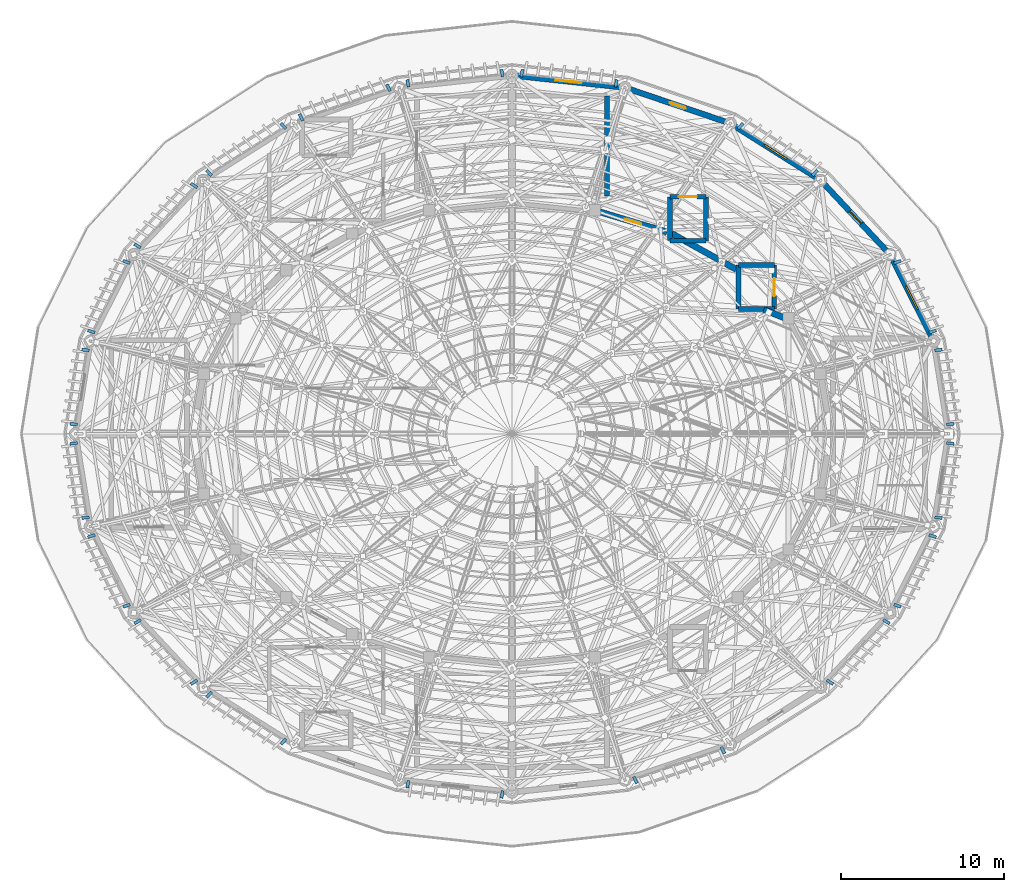
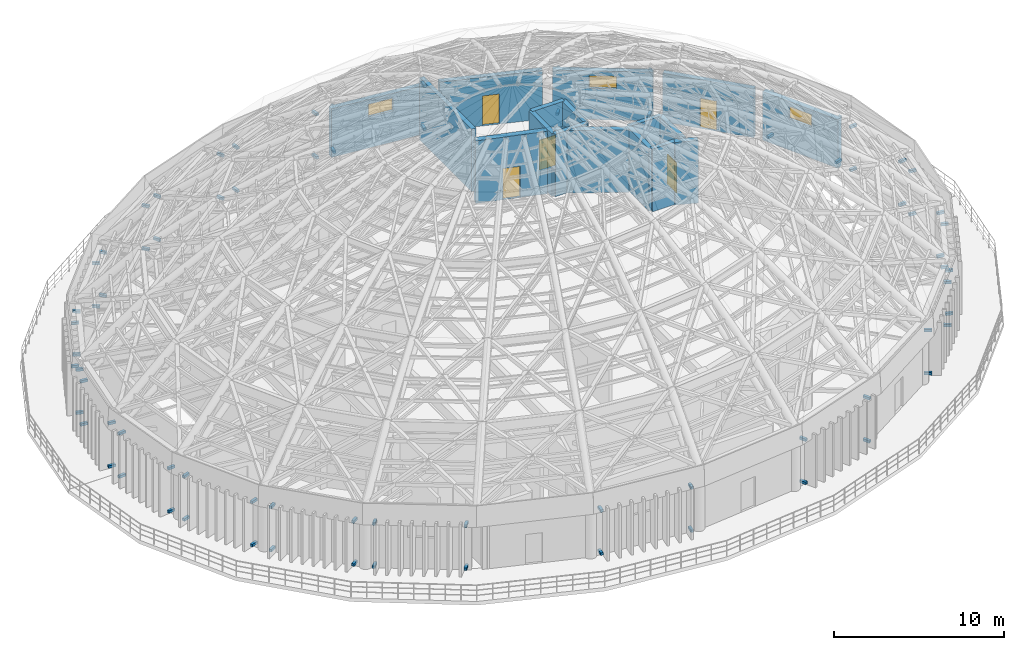
# One storey, part 41 of 50: 76 discrete accessories, 17 walls, 5 doors, 3 windows, 8 openings.
"""IFC4 building model written with IfcOpenShell, lengths in metres."""

from ifc_helpers import new_model, si_unit, direction, frame, frame_2d, origin, origin_2d, place, context, subcontext, project, spatial, rectangle, extrude, material, layer, layer_set, type_object, element, fill, save


model = new_model("IFC4")

# Units and contexts
model_context = context("Model", 3, precision=1e-05, world=origin(), true_north=direction((0.0, 1.0)))
body_context = subcontext(model_context, "Body", "Model", "MODEL_VIEW")
ifc_project = project(units=[si_unit("LENGTHUNIT", "METRE"), si_unit("AREAUNIT", "SQUARE_METRE"), si_unit("VOLUMEUNIT", "CUBIC_METRE"), si_unit("PLANEANGLEUNIT", "RADIAN"), si_unit("MASSUNIT", "GRAM", prefix="KILO")], contexts=[model_context])

# Site, building, storey
site_placement = place(None, origin())
site = spatial("IfcSite", under=ifc_project, at=site_placement, CompositionType="ELEMENT")
building_placement = place(site_placement, origin())
building = spatial("IfcBuilding", under=site, at=building_placement, Name="Cinderbank Siding Concert Hall", CompositionType="ELEMENT")
storey_placement = place(building_placement, frame((0.0, 0.0, 23.699951171875)))
storey = spatial("IfcBuildingStorey", under=building, at=storey_placement, Name="L06", CompositionType="ELEMENT", Elevation=23.699951171875)

# Walls
ifc_material_1 = material(Name="Reinforced concrete AS 3600 N50 (50 MPa)", Category="concrete")
ifc_layer_1 = layer(ifc_material_1, 0.3798828125)
ifc_layer_set_1 = layer_set([ifc_layer_1], Name="Reinforced concrete AS 3600 N50 (50 MPa)")
wall_type_1 = type_object("IfcWallType", Name="WL-01 Structural Wall 380mm", PredefinedType="SOLIDWALL", material=ifc_layer_set_1)
wall_1_placement = place(storey_placement, frame((138.75, 51.10009765625, 0.0), z_axis=(0.0, 0.0, 1.0), x_axis=(-0.928476690885, 0.371390676354, 0.0)))
element("IfcWall", 1, at=wall_1_placement, inside=storey, type_object=wall_type_1, Name="L06 Structural Wall SW-E1-L06-03", PredefinedType="SOLIDWALL", context=body_context, shape_type="SweptSolid", body=[
    extrude(rectangle(XDim=1.400146484375, YDim=0.3798828125, at=frame_2d((0.7001953125, 0.0))), origin(), (0.0, 0.0, 1.0), 4.5),
])
wall_2_placement = place(storey_placement, frame((135.77197265625, 54.089599609375, 0.0), z_axis=(0.0, 0.0, 1.0), x_axis=(-0.874028004615, 0.485875546975, 0.0)))
element("IfcWall", 2, at=wall_2_placement, inside=storey, type_object=wall_type_1, Name="L06 Structural Wall SW-E1-L06-04", PredefinedType="SOLIDWALL", context=body_context, shape_type="SweptSolid", body=[
    extrude(rectangle(XDim=4.54443359375, YDim=0.3798828125, at=frame_2d((2.272216796875, 0.0))), origin(), (0.0, 0.0, 1.0), 4.5),
])

# Wall, opening, door
wall_3_placement = place(storey_placement, frame((131.5126953125, 56.3837890625, 0.0), z_axis=(0.0, 0.0, 1.0), x_axis=(-0.957796933165, 0.287445707604, 0.0)))
wall_3 = element("IfcWall", 3, at=wall_3_placement, inside=storey, type_object=wall_type_1, Name="L06 Structural Wall SW-E1-L06-05", PredefinedType="SOLIDWALL", context=body_context, shape_type="SweptSolid", body=[
    extrude(rectangle(XDim=4.350341796875, YDim=0.3798828125, at=frame_2d((2.17529296875, 0.0))), origin(), (0.0, 0.0, 1.0), 4.5),
])
opening_1_placement = place(wall_3_placement, frame((1.645263671875, 0.0, 0.0)))
opening_1 = element("IfcOpeningElement", 4, at=opening_1_placement, cuts=wall_3, Name="Opening D-18", PredefinedType="OPENING", context=body_context, shape_type="SweptSolid", body=[
    extrude(rectangle(XDim=1.06005859375, YDim=2.239990234375, at=frame_2d((0.530029296875, 1.1201171875))), frame((0.0, 0.201904296875, 0.0), z_axis=(0.0, -1.0, 0.0), x_axis=(1.0, 0.0, 0.0)), (0.0, 0.0, 1.0), 0.40380859375),
])
ifc_material_2 = material(Name="Solid-core spotted gum acoustic timber", Category="wood")
door_type_1 = type_object("IfcDoorType", Name="D-18 Interior Door 1060x2240", OperationType="NOTDEFINED", PredefinedType="DOOR", material=ifc_material_2)
door_1_placement = place(opening_1_placement, origin())
door_1 = element("IfcDoor", 5, at=door_1_placement, inside=storey, type_object=door_type_1, Name="L06 Auditorium Sound-Lock Door L06-D181", OperationType="SINGLE_SWING_RIGHT", OverallHeight=2.239990234375, OverallWidth=1.06005859375, PredefinedType="DOOR", context=body_context, shape_type="SweptSolid", body=[
    extrude(rectangle(XDim=1.06005859375, YDim=2.239990234375, at=frame_2d((0.530029296875, 1.1201171875))), frame((0.0, 0.02490234375, 0.0), z_axis=(0.0, -1.0, 0.0), x_axis=(1.0, 0.0, 0.0)), (0.0, 0.0, 1.0), 0.050048828125),
])
fill(opening_1, door_1)

# Wall, opening, window
ifc_layer_2 = layer(ifc_material_1, 0.35009765625)
ifc_layer_set_2 = layer_set([ifc_layer_2], Name="Reinforced concrete AS 3600 N50 (50 MPa)")
wall_type_2 = type_object("IfcWallType", Name="WL-02 Structural Wall 350mm", PredefinedType="SHEAR", material=ifc_layer_set_2)
wall_4_placement = place(storey_placement, frame((147.747314453125, 49.970703125, 0.0), z_axis=(0.0, 0.0, 1.0), x_axis=(-0.450512686904, 0.892770025784, 0.0)))
wall_4 = element("IfcWall", 6, at=wall_4_placement, inside=storey, type_object=wall_type_2, Name="L06 Structural Wall SW-E2-L06-02", PredefinedType="SHEAR", context=body_context, shape_type="SweptSolid", body=[
    extrude(rectangle(XDim=5.3232421875, YDim=0.35009765625, at=frame_2d((2.66162109375, 0.0))), origin(), (0.0, 0.0, 1.0), 3.5),
])
opening_2_placement = place(wall_4_placement, frame((1.861572265625, 0.0, 2.25)))
opening_2 = element("IfcOpeningElement", 7, at=opening_2_placement, cuts=wall_4, Name="Opening SK-01", PredefinedType="OPENING", context=body_context, shape_type="SweptSolid", body=[
    extrude(rectangle(XDim=1.60009765625, YDim=0.89990234375, at=frame_2d((0.800048828125, 0.449951171875))), frame((0.0, 0.18701171875, 0.0), z_axis=(0.0, -1.0, 0.0), x_axis=(1.0, 0.0, 0.0)), (0.0, 0.0, 1.0), 0.3740234375),
])
ifc_material_3 = material(Name="Double-glazed laminated skylight acoustic glass", Category="glass")
window_type = type_object("IfcWindowType", Name="SK-01 Acoustic Laminated Skylight 1600x900", PartitioningType="SINGLE_PANEL", PredefinedType="SKYLIGHT", material=ifc_material_3)
window_1_placement = place(opening_2_placement, origin())
window_1 = element("IfcWindow", 8, at=window_1_placement, inside=storey, type_object=window_type, Name="Dome Springing Clerestory Skylight 01", OverallHeight=0.89990234375, OverallWidth=1.60009765625, PartitioningType="SINGLE_PANEL", PredefinedType="SKYLIGHT", context=body_context, shape_type="SweptSolid", body=[
    extrude(rectangle(XDim=1.60009765625, YDim=0.89990234375, at=frame_2d((0.800048828125, 0.449951171875))), frame((0.0, 0.030029296875, 0.0), z_axis=(0.0, -1.0, 0.0), x_axis=(1.0, 0.0, 0.0)), (0.0, 0.0, 1.0), 0.06005859375),
])
fill(opening_2, window_1)

# Wall, opening, door
wall_5_placement = place(storey_placement, frame((144.997802734375, 55.2265625, 0.0), z_axis=(0.0, 0.0, 1.0), x_axis=(-0.682886399388, 0.730524582427, 0.0)))
wall_5 = element("IfcWall", 9, at=wall_5_placement, inside=storey, type_object=wall_type_2, Name="L06 Structural Wall SW-E2-L06-03", PredefinedType="SHEAR", context=body_context, shape_type="SweptSolid", body=[
    extrude(rectangle(XDim=5.616943359375, YDim=0.35009765625, at=frame_2d((2.80859375, 0.0))), origin(), (0.0, 0.0, 1.0), 3.5),
])
opening_3_placement = place(wall_5_placement, frame((2.288330078125, 0.0, 0.0)))
opening_3 = element("IfcOpeningElement", 10, at=opening_3_placement, cuts=wall_5, Name="Opening TD-02", PredefinedType="OPENING", context=body_context, shape_type="SweptSolid", body=[
    extrude(rectangle(XDim=1.0400390625, YDim=2.159912109375, at=frame_2d((0.52001953125, 1.080078125))), frame((0.0, 0.18701171875, 0.0), z_axis=(0.0, -1.0, 0.0), x_axis=(1.0, 0.0, 0.0)), (0.0, 0.0, 1.0), 0.3740234375),
])
door_type_2 = type_object("IfcDoorType", Name="TD-02 Exterior Door 1040x2160", OperationType="NOTDEFINED", PredefinedType="DOOR", material=ifc_material_2)
door_2_placement = place(opening_3_placement, origin())
door_2 = element("IfcDoor", 11, at=door_2_placement, inside=storey, type_object=door_type_2, Name="L06 Upper Drum Terrace Door L06-ED029", OperationType="SINGLE_SWING_RIGHT", OverallHeight=2.159912109375, OverallWidth=1.0400390625, PredefinedType="DOOR", context=body_context, shape_type="SweptSolid", body=[
    extrude(rectangle(XDim=1.0400390625, YDim=2.159912109375, at=frame_2d((0.52001953125, 1.080078125))), frame((0.0, 0.02490234375, 0.0), z_axis=(0.0, -1.0, 0.0), x_axis=(1.0, 0.0, 0.0)), (0.0, 0.0, 1.0), 0.050048828125),
])
fill(opening_3, door_2)

# Wall, opening, window
wall_6_placement = place(storey_placement, frame((140.688232421875, 59.721435546875, 0.0), z_axis=(0.0, 0.0, 1.0), x_axis=(-0.846113390603, 0.53300293643, 0.0)))
wall_6 = element("IfcWall", 12, at=wall_6_placement, inside=storey, type_object=wall_type_2, Name="L06 Structural Wall SW-E2-L06-04", PredefinedType="SHEAR", context=body_context, shape_type="SweptSolid", body=[
    extrude(rectangle(XDim=5.93994140625, YDim=0.35009765625, at=frame_2d((2.969970703125, 0.0))), origin(), (0.0, 0.0, 1.0), 3.5),
])
opening_4_placement = place(wall_6_placement, frame((2.169921875, 0.0, 2.25)))
opening_4 = element("IfcOpeningElement", 13, at=opening_4_placement, cuts=wall_6, Name="Opening SK-01", PredefinedType="OPENING", context=body_context, shape_type="SweptSolid", body=[
    extrude(rectangle(XDim=1.60009765625, YDim=0.89990234375, at=frame_2d((0.800048828125, 0.449951171875))), frame((0.0, 0.18701171875, 0.0), z_axis=(0.0, -1.0, 0.0), x_axis=(1.0, 0.0, 0.0)), (0.0, 0.0, 1.0), 0.3740234375),
])
window_2_placement = place(opening_4_placement, origin())
window_2 = element("IfcWindow", 14, at=window_2_placement, inside=storey, type_object=window_type, Name="Dome Springing Clerestory Skylight 03", OverallHeight=0.89990234375, OverallWidth=1.60009765625, PartitioningType="SINGLE_PANEL", PredefinedType="SKYLIGHT", context=body_context, shape_type="SweptSolid", body=[
    extrude(rectangle(XDim=1.60009765625, YDim=0.89990234375, at=frame_2d((0.800048828125, 0.449951171875))), frame((0.0, 0.030029296875, 0.0), z_axis=(0.0, -1.0, 0.0), x_axis=(1.0, 0.0, 0.0)), (0.0, 0.0, 1.0), 0.06005859375),
])
fill(opening_4, window_2)

# Wall, opening, door
wall_7_placement = place(storey_placement, frame((135.1064453125, 63.15234375, 0.0), z_axis=(0.0, 0.0, 1.0), x_axis=(-0.946758358714, 0.321945042213, 0.0)))
wall_7 = element("IfcWall", 15, at=wall_7_placement, inside=storey, type_object=wall_type_2, Name="L06 Structural Wall SW-E2-L06-05", PredefinedType="SHEAR", context=body_context, shape_type="SweptSolid", body=[
    extrude(rectangle(XDim=6.20703125, YDim=0.35009765625, at=frame_2d((3.103515625, 0.0))), origin(), (0.0, 0.0, 1.0), 3.5),
])
opening_5_placement = place(wall_7_placement, frame((2.58349609375, 0.0, 0.0)))
opening_5 = element("IfcOpeningElement", 16, at=opening_5_placement, cuts=wall_7, Name="Opening TD-02", PredefinedType="OPENING", context=body_context, shape_type="SweptSolid", body=[
    extrude(rectangle(XDim=1.0400390625, YDim=2.159912109375, at=frame_2d((0.52001953125, 1.080078125))), frame((0.0, 0.18701171875, 0.0), z_axis=(0.0, -1.0, 0.0), x_axis=(1.0, 0.0, 0.0)), (0.0, 0.0, 1.0), 0.3740234375),
])
door_3_placement = place(opening_5_placement, origin())
door_3 = element("IfcDoor", 17, at=door_3_placement, inside=storey, type_object=door_type_2, Name="L06 Upper Drum Terrace Door L06-ED030", OperationType="SINGLE_SWING_RIGHT", OverallHeight=2.159912109375, OverallWidth=1.0400390625, PredefinedType="DOOR", context=body_context, shape_type="SweptSolid", body=[
    extrude(rectangle(XDim=1.0400390625, YDim=2.159912109375, at=frame_2d((0.52001953125, 1.080078125))), frame((0.0, 0.02490234375, 0.0), z_axis=(0.0, -1.0, 0.0), x_axis=(1.0, 0.0, 0.0)), (0.0, 0.0, 1.0), 0.050048828125),
])
fill(opening_5, door_3)

# Wall, opening, window
wall_8_placement = place(storey_placement, frame((128.628173828125, 65.28369140625, 0.0), z_axis=(0.0, 0.0, 1.0), x_axis=(-0.99420948753, 0.107459270912, 0.0)))
wall_8 = element("IfcWall", 18, at=wall_8_placement, inside=storey, type_object=wall_type_2, Name="L06 Structural Wall SW-E2-L06-06", PredefinedType="SHEAR", context=body_context, shape_type="SweptSolid", body=[
    extrude(rectangle(XDim=6.35693359375, YDim=0.35009765625, at=frame_2d((3.178466796875, 0.0))), origin(), (0.0, 0.0, 1.0), 3.5),
])
opening_6_placement = place(wall_8_placement, frame((2.37841796875, 0.0, 2.25)))
opening_6 = element("IfcOpeningElement", 19, at=opening_6_placement, cuts=wall_8, Name="Opening SK-01", PredefinedType="OPENING", context=body_context, shape_type="SweptSolid", body=[
    extrude(rectangle(XDim=1.60009765625, YDim=0.89990234375, at=frame_2d((0.800048828125, 0.449951171875))), frame((0.0, 0.18701171875, 0.0), z_axis=(0.0, -1.0, 0.0), x_axis=(1.0, 0.0, 0.0)), (0.0, 0.0, 1.0), 0.3740234375),
])
window_3_placement = place(opening_6_placement, origin())
window_3 = element("IfcWindow", 20, at=window_3_placement, inside=storey, type_object=window_type, Name="Dome Springing Clerestory Skylight 05", OverallHeight=0.89990234375, OverallWidth=1.60009765625, PartitioningType="SINGLE_PANEL", PredefinedType="SKYLIGHT", context=body_context, shape_type="SweptSolid", body=[
    extrude(rectangle(XDim=1.60009765625, YDim=0.89990234375, at=frame_2d((0.800048828125, 0.449951171875))), frame((0.0, 0.030029296875, 0.0), z_axis=(0.0, -1.0, 0.0), x_axis=(1.0, 0.0, 0.0)), (0.0, 0.0, 1.0), 0.06005859375),
])
fill(opening_6, window_3)

# Walls
ifc_layer_3 = layer(ifc_material_1, 0.300048828125)
ifc_layer_set_3 = layer_set([ifc_layer_3], Name="Reinforced concrete AS 3600 N50 (50 MPa)")
wall_type_3 = type_object("IfcWallType", Name="WL-03 Structural Wall 300mm", PredefinedType="SHEAR", material=ifc_layer_set_3)
wall_9_placement = place(storey_placement, frame((127.840087890625, 64.75, 0.0), z_axis=(0.0, 0.0, 1.0), x_axis=(0.0, -1.0, 0.0)))
element("IfcWall", 21, at=wall_9_placement, inside=storey, type_object=wall_type_3, Name="L06 ST-01 Core Wall FAR", PredefinedType="SHEAR", context=body_context, shape_type="SweptSolid", body=[
    extrude(rectangle(XDim=6.139892578125, YDim=0.300048828125, at=frame_2d((3.06982421875, 0.0))), origin(), (0.0, 0.0, 1.0), 4.5),
])
wall_10_placement = place(storey_placement, frame((133.89990234375, 55.85009765625, 0.0), z_axis=(0.0, 0.0, 1.0), x_axis=(-1.0, 0.0, 0.0)))
element("IfcWall", 22, at=wall_10_placement, inside=storey, type_object=wall_type_3, Name="L06 LF-01 Shaft Wall -Y", PredefinedType="SHEAR", context=body_context, shape_type="SweptSolid", body=[
    extrude(rectangle(XDim=2.199951171875, YDim=0.300048828125, at=frame_2d((1.10009765625, 0.0))), origin(), (0.0, 0.0, 1.0), 4.5),
])
wall_11_placement = place(storey_placement, frame((133.89990234375, 58.550048828125, 0.0), z_axis=(0.0, 0.0, 1.0), x_axis=(0.0, -1.0, 0.0)))
element("IfcWall", 23, at=wall_11_placement, inside=storey, type_object=wall_type_3, Name="L06 LF-01 Shaft Wall +X", PredefinedType="SHEAR", context=body_context, shape_type="SweptSolid", body=[
    extrude(rectangle(XDim=2.699951171875, YDim=0.300048828125, at=frame_2d((1.35009765625, 0.0))), origin(), (0.0, 0.0, 1.0), 4.5),
])

# Wall, opening, door
wall_12_placement = place(storey_placement, frame((131.699951171875, 58.550048828125, 0.0), z_axis=(0.0, 0.0, 1.0), x_axis=(1.0, 0.0, 0.0)))
wall_12 = element("IfcWall", 24, at=wall_12_placement, inside=storey, type_object=wall_type_3, Name="L06 LF-01 Shaft Wall +Y", PredefinedType="SHEAR", context=body_context, shape_type="SweptSolid", body=[
    extrude(rectangle(XDim=2.199951171875, YDim=0.300048828125, at=frame_2d((1.10009765625, 0.0))), origin(), (0.0, 0.0, 1.0), 4.5),
])
opening_7_placement = place(wall_12_placement, frame((0.550048828125, 0.0, 0.0)))
opening_7 = element("IfcOpeningElement", 25, at=opening_7_placement, cuts=wall_12, Name="Opening LD-01", PredefinedType="OPENING", context=body_context, shape_type="SweptSolid", body=[
    extrude(rectangle(XDim=1.10009765625, YDim=2.14990234375, at=frame_2d((0.550048828125, 1.074951171875))), frame((0.0, 0.162109375, 0.0), z_axis=(0.0, -1.0, 0.0), x_axis=(1.0, 0.0, 0.0)), (0.0, 0.0, 1.0), 0.323974609375),
])
ifc_material_4 = material(Name="Galvanised sheet steel acoustic fire door assembly", Category="steel")
door_type_3 = type_object("IfcDoorType", Name="LD-01 Interior Door 1100x2150", OperationType="DOUBLE_DOOR_SLIDING", PredefinedType="DOOR", material=ifc_material_4)
door_4_placement = place(opening_7_placement, origin())
door_4 = element("IfcDoor", 26, at=door_4_placement, inside=storey, type_object=door_type_3, Name="L06 LF-01 Sliding Landing Door", OperationType="DOUBLE_DOOR_SLIDING", OverallHeight=2.14990234375, OverallWidth=1.10009765625, PredefinedType="DOOR", context=body_context, shape_type="SweptSolid", body=[
    extrude(rectangle(XDim=1.10009765625, YDim=2.14990234375, at=frame_2d((0.550048828125, 1.074951171875))), frame((0.0, 0.02490234375, 0.0), z_axis=(0.0, -1.0, 0.0), x_axis=(1.0, 0.0, 0.0)), (0.0, 0.0, 1.0), 0.050048828125),
])
fill(opening_7, door_4)

# Walls
wall_13_placement = place(storey_placement, frame((131.699951171875, 55.85009765625, 0.0), z_axis=(0.0, 0.0, 1.0), x_axis=(0.0, 1.0, 0.0)))
element("IfcWall", 27, at=wall_13_placement, inside=storey, type_object=wall_type_3, Name="L06 LF-01 Shaft Wall -X", PredefinedType="SHEAR", context=body_context, shape_type="SweptSolid", body=[
    extrude(rectangle(XDim=2.699951171875, YDim=0.300048828125, at=frame_2d((1.35009765625, 0.0))), origin(), (0.0, 0.0, 1.0), 4.5),
])
wall_14_placement = place(storey_placement, frame((138.10009765625, 51.64990234375, 0.0), z_axis=(0.0, 0.0, 1.0), x_axis=(-1.0, 0.0, 0.0)))
element("IfcWall", 28, at=wall_14_placement, inside=storey, type_object=wall_type_3, Name="L06 LF-03 Shaft Wall -Y", PredefinedType="SHEAR", context=body_context, shape_type="SweptSolid", body=[
    extrude(rectangle(XDim=2.2001953125, YDim=0.300048828125, at=frame_2d((1.10009765625, 0.0))), origin(), (0.0, 0.0, 1.0), 4.5),
])

# Wall, opening, door
wall_15_placement = place(storey_placement, frame((138.10009765625, 54.35009765625, 0.0), z_axis=(0.0, 0.0, 1.0), x_axis=(0.0, -1.0, 0.0)))
wall_15 = element("IfcWall", 29, at=wall_15_placement, inside=storey, type_object=wall_type_3, Name="L06 LF-03 Shaft Wall +X", PredefinedType="SHEAR", context=body_context, shape_type="SweptSolid", body=[
    extrude(rectangle(XDim=2.7001953125, YDim=0.300048828125, at=frame_2d((1.35009765625, 0.0))), origin(), (0.0, 0.0, 1.0), 4.5),
])
opening_8_placement = place(wall_15_placement, frame((0.800048828125, 0.0, 0.0)))
opening_8 = element("IfcOpeningElement", 30, at=opening_8_placement, cuts=wall_15, Name="Opening LD-01", PredefinedType="OPENING", context=body_context, shape_type="SweptSolid", body=[
    extrude(rectangle(XDim=1.10009765625, YDim=2.14990234375, at=frame_2d((0.550048828125, 1.074951171875))), frame((0.0, 0.162109375, 0.0), z_axis=(0.0, -1.0, 0.0), x_axis=(1.0, 0.0, 0.0)), (0.0, 0.0, 1.0), 0.323974609375),
])
door_5_placement = place(opening_8_placement, origin())
door_5 = element("IfcDoor", 31, at=door_5_placement, inside=storey, type_object=door_type_3, Name="L06 LF-03 Sliding Landing Door", OperationType="DOUBLE_DOOR_SLIDING", OverallHeight=2.14990234375, OverallWidth=1.10009765625, PredefinedType="DOOR", context=body_context, shape_type="SweptSolid", body=[
    extrude(rectangle(XDim=1.10009765625, YDim=2.14990234375, at=frame_2d((0.550048828125, 1.074951171875))), frame((0.0, 0.02490234375, 0.0), z_axis=(0.0, -1.0, 0.0), x_axis=(1.0, 0.0, 0.0)), (0.0, 0.0, 1.0), 0.050048828125),
])
fill(opening_8, door_5)

# Walls
wall_16_placement = place(storey_placement, frame((135.89990234375, 54.35009765625, 0.0), z_axis=(0.0, 0.0, 1.0), x_axis=(1.0, 0.0, 0.0)))
element("IfcWall", 32, at=wall_16_placement, inside=storey, type_object=wall_type_3, Name="L06 LF-03 Shaft Wall +Y", PredefinedType="SHEAR", context=body_context, shape_type="SweptSolid", body=[
    extrude(rectangle(XDim=2.2001953125, YDim=0.300048828125, at=frame_2d((1.10009765625, 0.0))), origin(), (0.0, 0.0, 1.0), 4.5),
])
wall_17_placement = place(storey_placement, frame((135.89990234375, 51.64990234375, 0.0), z_axis=(0.0, 0.0, 1.0), x_axis=(0.0, 1.0, 0.0)))
element("IfcWall", 33, at=wall_17_placement, inside=storey, type_object=wall_type_3, Name="L06 LF-03 Shaft Wall -X", PredefinedType="SHEAR", context=body_context, shape_type="SweptSolid", body=[
    extrude(rectangle(XDim=2.7001953125, YDim=0.300048828125, at=frame_2d((1.35009765625, 0.0))), origin(), (0.0, 0.0, 1.0), 4.5),
])

# Discrete accessories
ifc_material_5 = material(Name="Structural steel AS/NZS 3679.1 Grade 350 (340 MPa)", Category="steel")
discrete_accessory_type = type_object("IfcDiscreteAccessoryType", Name="BK-01 Outrigger Steel Bracket 180x920", PredefinedType="BRACKET", material=ifc_material_5)
for number, where, z_axis, x_axis, name in (
    (34, (148.906982421875, 44.59423828125, 0.1298828125), (0.0, 0.0, 1.0), (0.994210818271, 0.107446958234, 0.0), "L06 Louvre Outrigger Bracket 01-BOT-A"),
    (35, (148.177490234375, 49.142822265625, 0.1298828125), (0.0, 0.0, 1.0), (0.994210818271, 0.107446958234, 0.0), "L06 Louvre Outrigger Bracket 01-BOT-B"),
    (36, (148.906982421875, 44.59423828125, 3.22998046875), (0.0, 0.0, 1.0), (0.994210818271, 0.107446958234, 0.0), "L06 Louvre Outrigger Bracket 01-TOP-A"),
    (37, (148.177490234375, 49.142822265625, 3.22998046875), (0.0, 0.0, 1.0), (0.994210818271, 0.107446958234, 0.0), "L06 Louvre Outrigger Bracket 01-TOP-B"),
    (38, (147.81494140625, 50.276123046875, 0.1298828125), (0.0, 0.0, 1.0), (0.946765351164, 0.321924478466, 0.0), "L06 Louvre Outrigger Bracket 02-BOT-A"),
    (39, (145.66015625, 54.546630859375, 0.1298828125), (0.0, 0.0, 1.0), (0.946765351164, 0.321924478466, 0.0), "L06 Louvre Outrigger Bracket 02-BOT-B"),
    (40, (147.81494140625, 50.276123046875, 3.22998046875), (0.0, 0.0, 1.0), (0.946765351164, 0.321924478466, 0.0), "L06 Louvre Outrigger Bracket 02-TOP-A"),
    (41, (145.66015625, 54.546630859375, 3.22998046875), (0.0, 0.0, 1.0), (0.946765351164, 0.321924478466, 0.0), "L06 Louvre Outrigger Bracket 02-TOP-B"),
    (42, (140.59619140625, 60.011474609375, 0.1298828125), (0.0, 0.0, 1.0), (0.682869257989, 0.730540605643, 0.0), "L06 Louvre Outrigger Bracket 04-BOT-A"),
    (43, (136.02734375, 62.8896484375, 0.1298828125), (0.0, 0.0, 1.0), (0.682869257989, 0.730540605643, 0.0), "L06 Louvre Outrigger Bracket 04-BOT-B"),
    (44, (140.59619140625, 60.011474609375, 3.22998046875), (0.0, 0.0, 1.0), (0.682869257989, 0.730540605643, 0.0), "L06 Louvre Outrigger Bracket 04-TOP-A"),
    (45, (136.02734375, 62.8896484375, 3.22998046875), (0.0, 0.0, 1.0), (0.682869257989, 0.730540605643, 0.0), "L06 Louvre Outrigger Bracket 04-TOP-B"),
    (46, (128.391357421875, 65.51025390625, 0.1298828125), (0.0, 0.0, 1.0), (0.158354123126, 0.987382383724, 0.0), "L06 Louvre Outrigger Bracket 06-BOT-A"),
    (47, (122.6083984375, 66.13525390625, 0.1298828125), (0.0, 0.0, 1.0), (0.158354123126, 0.987382383724, 0.0), "L06 Louvre Outrigger Bracket 06-BOT-B"),
    (48, (128.391357421875, 65.51025390625, 3.22998046875), (0.0, 0.0, 1.0), (0.158354123126, 0.987382383724, 0.0), "L06 Louvre Outrigger Bracket 06-TOP-A"),
    (49, (122.6083984375, 66.13525390625, 3.22998046875), (0.0, 0.0, 1.0), (0.158354123126, 0.987382383724, 0.0), "L06 Louvre Outrigger Bracket 06-TOP-B"),
    (50, (121.3916015625, 66.13525390625, 0.1298828125), (0.0, 0.0, 1.0), (-0.158354123126, 0.987382383724, 0.0), "L06 Louvre Outrigger Bracket 07-BOT-A"),
    (51, (115.608642578125, 65.51025390625, 0.1298828125), (0.0, 0.0, 1.0), (-0.158354123126, 0.987382383724, 0.0), "L06 Louvre Outrigger Bracket 07-BOT-B"),
    (52, (121.3916015625, 66.13525390625, 3.22998046875), (0.0, 0.0, 1.0), (-0.158354123126, 0.987382383724, 0.0), "L06 Louvre Outrigger Bracket 07-TOP-A"),
    (53, (115.608642578125, 65.51025390625, 3.22998046875), (0.0, 0.0, 1.0), (-0.158354123126, 0.987382383724, 0.0), "L06 Louvre Outrigger Bracket 07-TOP-B"),
    (54, (114.42431640625, 65.2421875, 0.1298828125), (0.0, 0.0, 1.0), (-0.450487284518, 0.89278284397, 0.0), "L06 Louvre Outrigger Bracket 08-BOT-A"),
    (55, (109.05908203125, 63.41796875, 0.1298828125), (0.0, 0.0, 1.0), (-0.450487284518, 0.89278284397, 0.0), "L06 Louvre Outrigger Bracket 08-BOT-B"),
    (56, (114.42431640625, 65.2421875, 3.22998046875), (0.0, 0.0, 1.0), (-0.450487284518, 0.89278284397, 0.0), "L06 Louvre Outrigger Bracket 08-TOP-A"),
    (57, (109.05908203125, 63.41796875, 3.22998046875), (0.0, 0.0, 1.0), (-0.450487284518, 0.89278284397, 0.0), "L06 Louvre Outrigger Bracket 08-TOP-B"),
    (58, (107.97265625, 62.8896484375, 0.1298828125), (0.0, 0.0, 1.0), (-0.682869257989, 0.730540605643, 0.0), "L06 Louvre Outrigger Bracket 09-BOT-A"),
    (59, (103.40380859375, 60.011474609375, 0.1298828125), (0.0, 0.0, 1.0), (-0.682869257989, 0.730540605643, 0.0), "L06 Louvre Outrigger Bracket 09-BOT-B"),
    (60, (107.97265625, 62.8896484375, 3.22998046875), (0.0, 0.0, 1.0), (-0.682869257989, 0.730540605643, 0.0), "L06 Louvre Outrigger Bracket 09-TOP-A"),
    (61, (103.40380859375, 60.011474609375, 3.22998046875), (0.0, 0.0, 1.0), (-0.682869257989, 0.730540605643, 0.0), "L06 Louvre Outrigger Bracket 09-TOP-B"),
    (62, (102.484130859375, 59.2392578125, 0.1298828125), (0.0, 0.0, 1.0), (-0.846132246596, 0.532973002384, 0.0), "L06 Louvre Outrigger Bracket 10-BOT-A"),
    (63, (99.017333984375, 55.5302734375, 0.1298828125), (0.0, 0.0, 1.0), (-0.846132246596, 0.532973002384, 0.0), "L06 Louvre Outrigger Bracket 10-BOT-B"),
    (64, (102.484130859375, 59.2392578125, 3.22998046875), (0.0, 0.0, 1.0), (-0.846132246596, 0.532973002384, 0.0), "L06 Louvre Outrigger Bracket 10-TOP-A"),
    (65, (99.017333984375, 55.5302734375, 3.22998046875), (0.0, 0.0, 1.0), (-0.846132246596, 0.532973002384, 0.0), "L06 Louvre Outrigger Bracket 10-TOP-B"),
    (66, (98.33984375, 54.546630859375, 0.1298828125), (0.0, 0.0, 1.0), (-0.946765351164, 0.321924478466, 0.0), "L06 Louvre Outrigger Bracket 11-BOT-A"),
    (67, (96.18505859375, 50.276123046875, 0.1298828125), (0.0, 0.0, 1.0), (-0.946765351164, 0.321924478466, 0.0), "L06 Louvre Outrigger Bracket 11-BOT-B"),
    (68, (98.33984375, 54.546630859375, 3.22998046875), (0.0, 0.0, 1.0), (-0.946765351164, 0.321924478466, 0.0), "L06 Louvre Outrigger Bracket 11-TOP-A"),
    (69, (96.18505859375, 50.276123046875, 3.22998046875), (0.0, 0.0, 1.0), (-0.946765351164, 0.321924478466, 0.0), "L06 Louvre Outrigger Bracket 11-TOP-B"),
    (70, (95.822509765625, 49.142822265625, 0.1298828125), (0.0, 0.0, 1.0), (-0.994210818271, 0.107446958234, 0.0), "L06 Louvre Outrigger Bracket 12-BOT-A"),
    (71, (95.093017578125, 44.59423828125, 0.1298828125), (0.0, 0.0, 1.0), (-0.994210818271, 0.107446958234, 0.0), "L06 Louvre Outrigger Bracket 12-BOT-B"),
    (72, (95.822509765625, 49.142822265625, 3.22998046875), (0.0, 0.0, 1.0), (-0.994210818271, 0.107446958234, 0.0), "L06 Louvre Outrigger Bracket 12-TOP-A"),
    (73, (95.093017578125, 44.59423828125, 3.22998046875), (0.0, 0.0, 1.0), (-0.994210818271, 0.107446958234, 0.0), "L06 Louvre Outrigger Bracket 12-TOP-B"),
    (74, (95.093017578125, 43.40576171875, 0.1298828125), (0.0, 0.0, 1.0), (-0.994210818271, -0.107446958234, 0.0), "L06 Louvre Outrigger Bracket 13-BOT-A"),
    (75, (95.822509765625, 38.857177734375, 0.1298828125), (0.0, 0.0, 1.0), (-0.994210818271, -0.107446958234, 0.0), "L06 Louvre Outrigger Bracket 13-BOT-B"),
    (76, (95.093017578125, 43.40576171875, 3.22998046875), (0.0, 0.0, 1.0), (-0.994210818271, -0.107446958234, 0.0), "L06 Louvre Outrigger Bracket 13-TOP-A"),
    (77, (95.822509765625, 38.857177734375, 3.22998046875), (0.0, 0.0, 1.0), (-0.994210818271, -0.107446958234, 0.0), "L06 Louvre Outrigger Bracket 13-TOP-B"),
    (78, (96.18505859375, 37.723876953125, 0.1298828125), (0.0, 0.0, 1.0), (-0.946765351164, -0.321924478466, 0.0), "L06 Louvre Outrigger Bracket 14-BOT-A"),
    (79, (98.33984375, 33.453369140625, 0.1298828125), (0.0, 0.0, 1.0), (-0.946765351164, -0.321924478466, 0.0), "L06 Louvre Outrigger Bracket 14-BOT-B"),
    (80, (96.18505859375, 37.723876953125, 3.22998046875), (0.0, 0.0, 1.0), (-0.946765351164, -0.321924478466, 0.0), "L06 Louvre Outrigger Bracket 14-TOP-A"),
    (81, (98.33984375, 33.453369140625, 3.22998046875), (0.0, 0.0, 1.0), (-0.946765351164, -0.321924478466, 0.0), "L06 Louvre Outrigger Bracket 14-TOP-B"),
    (82, (99.017333984375, 32.4697265625, 0.1298828125), (0.0, 0.0, 1.0), (-0.846132246596, -0.532973002384, 0.0), "L06 Louvre Outrigger Bracket 15-BOT-A"),
    (83, (102.484130859375, 28.7607421875, 0.1298828125), (0.0, 0.0, 1.0), (-0.846132246596, -0.532973002384, 0.0), "L06 Louvre Outrigger Bracket 15-BOT-B"),
    (84, (99.017333984375, 32.4697265625, 3.22998046875), (0.0, 0.0, 1.0), (-0.846132246596, -0.532973002384, 0.0), "L06 Louvre Outrigger Bracket 15-TOP-A"),
    (85, (102.484130859375, 28.7607421875, 3.22998046875), (0.0, 0.0, 1.0), (-0.846132246596, -0.532973002384, 0.0), "L06 Louvre Outrigger Bracket 15-TOP-B"),
    (86, (103.40380859375, 27.988525390625, 0.1298828125), (0.0, 0.0, 1.0), (-0.682869257989, -0.730540605643, 0.0), "L06 Louvre Outrigger Bracket 16-BOT-A"),
    (87, (107.97265625, 25.1103515625, 0.1298828125), (0.0, 0.0, 1.0), (-0.682869257989, -0.730540605643, 0.0), "L06 Louvre Outrigger Bracket 16-BOT-B"),
    (88, (103.40380859375, 27.988525390625, 3.22998046875), (0.0, 0.0, 1.0), (-0.682869257989, -0.730540605643, 0.0), "L06 Louvre Outrigger Bracket 16-TOP-A"),
    (89, (107.97265625, 25.1103515625, 3.22998046875), (0.0, 0.0, 1.0), (-0.682869257989, -0.730540605643, 0.0), "L06 Louvre Outrigger Bracket 16-TOP-B"),
    (90, (115.608642578125, 22.48974609375, 0.1298828125), (0.0, 0.0, 1.0), (-0.158354123126, -0.987382383724, 0.0), "L06 Louvre Outrigger Bracket 18-BOT-A"),
    (91, (121.3916015625, 21.86474609375, 0.1298828125), (0.0, 0.0, 1.0), (-0.158354123126, -0.987382383724, 0.0), "L06 Louvre Outrigger Bracket 18-BOT-B"),
    (92, (115.608642578125, 22.48974609375, 3.22998046875), (0.0, 0.0, 1.0), (-0.158354123126, -0.987382383724, 0.0), "L06 Louvre Outrigger Bracket 18-TOP-A"),
    (93, (121.3916015625, 21.86474609375, 3.22998046875), (0.0, 0.0, 1.0), (-0.158354123126, -0.987382383724, 0.0), "L06 Louvre Outrigger Bracket 18-TOP-B"),
    (94, (129.57568359375, 22.7578125, 0.1298828125), (0.0, 0.0, 1.0), (0.450487284518, -0.89278284397, 0.0), "L06 Louvre Outrigger Bracket 20-BOT-A"),
    (95, (134.94091796875, 24.58203125, 0.1298828125), (0.0, 0.0, 1.0), (0.450487284518, -0.89278284397, 0.0), "L06 Louvre Outrigger Bracket 20-BOT-B"),
    (96, (129.57568359375, 22.7578125, 3.22998046875), (0.0, 0.0, 1.0), (0.450487284518, -0.89278284397, 0.0), "L06 Louvre Outrigger Bracket 20-TOP-A"),
    (97, (134.94091796875, 24.58203125, 3.22998046875), (0.0, 0.0, 1.0), (0.450487284518, -0.89278284397, 0.0), "L06 Louvre Outrigger Bracket 20-TOP-B"),
    (98, (141.515869140625, 28.7607421875, 0.1298828125), (0.0, 0.0, 1.0), (0.846132246596, -0.532973002384, 0.0), "L06 Louvre Outrigger Bracket 22-BOT-A"),
    (99, (144.982666015625, 32.4697265625, 0.1298828125), (0.0, 0.0, 1.0), (0.846132246596, -0.532973002384, 0.0), "L06 Louvre Outrigger Bracket 22-BOT-B"),
    (100, (141.515869140625, 28.7607421875, 3.22998046875), (0.0, 0.0, 1.0), (0.846132246596, -0.532973002384, 0.0), "L06 Louvre Outrigger Bracket 22-TOP-A"),
    (101, (144.982666015625, 32.4697265625, 3.22998046875), (0.0, 0.0, 1.0), (0.846132246596, -0.532973002384, 0.0), "L06 Louvre Outrigger Bracket 22-TOP-B"),
    (102, (145.66015625, 33.453369140625, 0.1298828125), (0.0, 0.0, 1.0), (0.946765351164, -0.321924478466, 0.0), "L06 Louvre Outrigger Bracket 23-BOT-A"),
    (103, (147.81494140625, 37.723876953125, 0.1298828125), (0.0, 0.0, 1.0), (0.946765351164, -0.321924478466, 0.0), "L06 Louvre Outrigger Bracket 23-BOT-B"),
    (104, (145.66015625, 33.453369140625, 3.22998046875), (0.0, 0.0, 1.0), (0.946765351164, -0.321924478466, 0.0), "L06 Louvre Outrigger Bracket 23-TOP-A"),
    (105, (147.81494140625, 37.723876953125, 3.22998046875), (0.0, 0.0, 1.0), (0.946765351164, -0.321924478466, 0.0), "L06 Louvre Outrigger Bracket 23-TOP-B"),
    (106, (148.177490234375, 38.857177734375, 0.1298828125), (0.0, 0.0, 1.0), (0.994210818271, -0.107446958234, 0.0), "L06 Louvre Outrigger Bracket 24-BOT-A"),
    (107, (148.906982421875, 43.40576171875, 0.1298828125), (0.0, 0.0, 1.0), (0.994210818271, -0.107446958234, 0.0), "L06 Louvre Outrigger Bracket 24-BOT-B"),
    (108, (148.177490234375, 38.857177734375, 3.22998046875), (0.0, 0.0, 1.0), (0.994210818271, -0.107446958234, 0.0), "L06 Louvre Outrigger Bracket 24-TOP-A"),
    (109, (148.906982421875, 43.40576171875, 3.22998046875), (0.0, 0.0, 1.0), (0.994210818271, -0.107446958234, 0.0), "L06 Louvre Outrigger Bracket 24-TOP-B"),
):
    element("IfcDiscreteAccessory", number, at=place(storey_placement, frame(where, z_axis=z_axis, x_axis=x_axis)), inside=storey, type_object=discrete_accessory_type, Name=name, PredefinedType="BRACKET", context=body_context, shape_type="SweptSolid", body=[
        extrude(rectangle(XDim=0.4599609375, YDim=0.179931640625, at=origin_2d()), origin(), (0.0, 0.0, 1.0), 0.179931640625),
    ])

save(model, "model.ifc")
